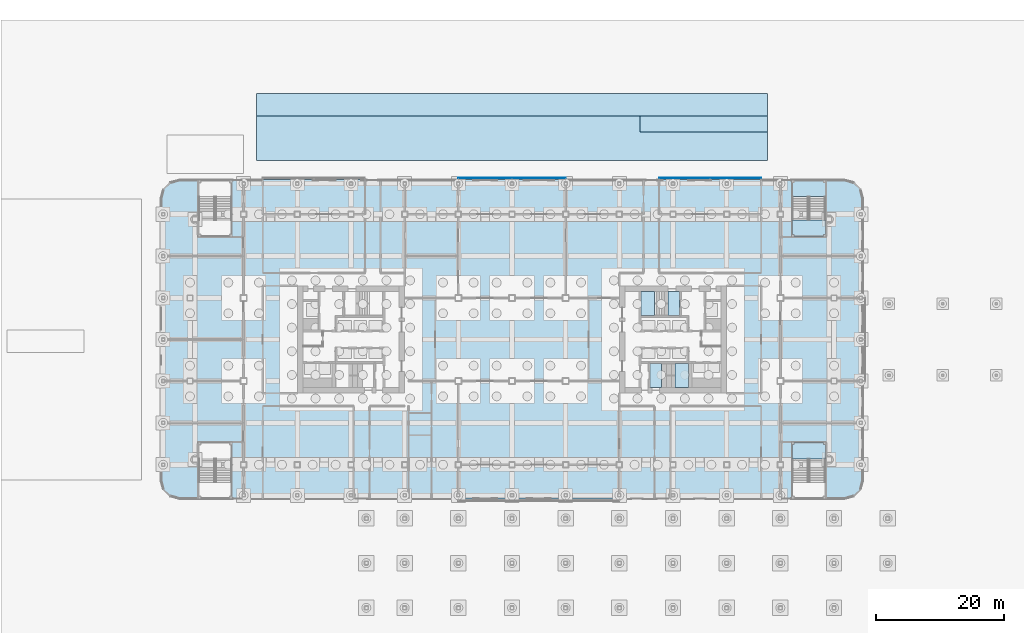
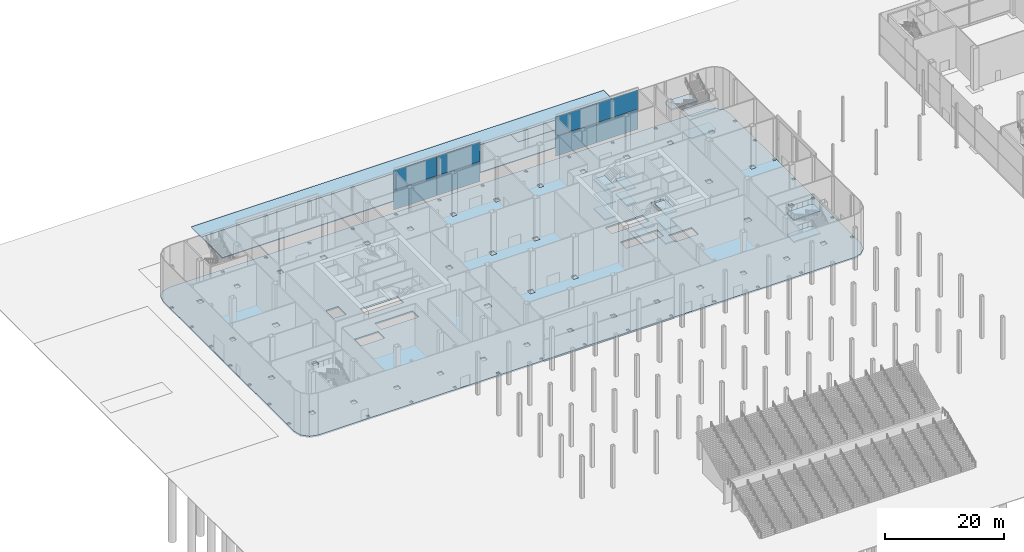
# One storey, part 31 of 113: 19 slabs, 8 plates, 6 elements without a shape of their own.
"""IFC4 building model written with IfcOpenShell, lengths in metres."""

from ifc_helpers import new_model, si_unit, direction, frame, origin, origin_2d, place, context, subcontext, project, spatial, polyline, rectangle, outline, extrude, material, layer, layer_set, type_object, element, aggregate, save


model = new_model("IFC4")

# Units and contexts
model_context = context("Model", 3, precision=1e-05, world=origin(), true_north=direction((0.0, 1.0)))
body_context = subcontext(model_context, "Body", "Model", "MODEL_VIEW")
ifc_project = project(units=[si_unit("LENGTHUNIT", "METRE"), si_unit("AREAUNIT", "SQUARE_METRE"), si_unit("VOLUMEUNIT", "CUBIC_METRE"), si_unit("PLANEANGLEUNIT", "RADIAN"), si_unit("MASSUNIT", "GRAM", prefix="KILO")], contexts=[model_context])

# Site, building, storey
site_placement = place(None, origin())
site = spatial("IfcSite", under=ifc_project, at=site_placement, CompositionType="ELEMENT")
building_placement = place(site_placement, origin())
building = spatial("IfcBuilding", under=site, at=building_placement, Name="Hakoniwa Tower and Hamabe Station Hall", CompositionType="ELEMENT")
storey_placement = place(building_placement, origin())
storey = spatial("IfcBuildingStorey", under=building, at=storey_placement, Name="L01", CompositionType="ELEMENT", Elevation=0.0)

# Stair, slabs
ifc_material_1 = material(Name="Concrete C40", Category="concrete")
stair_type_1 = type_object("IfcStairType", Name="ESCAPE STAIR 1800", PredefinedType="HALF_TURN_STAIR", material=ifc_material_1)
stair_1_placement = place(storey_placement, origin())
stair_1 = element("IfcStair", 1, at=stair_1_placement, inside=storey, type_object=stair_type_1, Name="Escape stair ST-3 L01", PredefinedType="HALF_TURN_STAIR")
ifc_material_2 = material(Name="Concrete C40", Category="concrete")
ifc_layer_1 = layer(ifc_material_2, 0.25)
ifc_layer_set_1 = layer_set([ifc_layer_1], Name="CORE STAIR LANDING 250")
slab_type_1 = type_object("IfcSlabType", Name="CORE STAIR LANDING 250", PredefinedType="LANDING", material=ifc_layer_set_1)
slab_1_placement = place(storey_placement, frame((0.0, 0.0, 1.25)))
slab_1 = element("IfcSlab", 2, at=slab_1_placement, type_object=slab_type_1, Name="ST-3 landing 1", PredefinedType="LANDING", context=body_context, shape_type="SweptSolid", body=[
    extrude(outline(polyline([(22.320068359375, 3.75), (20.14990234375, 3.75), (20.14990234375, 7.5), (22.320068359375, 7.5), (22.320068359375, 3.75)])), origin(), (0.0, 0.0, 1.0), 0.25),
])
slab_2_placement = place(storey_placement, frame((0.0, 0.0, 2.75)))
slab_2 = element("IfcSlab", 3, at=slab_2_placement, type_object=slab_type_1, Name="ST-3 landing 2", PredefinedType="LANDING", context=body_context, shape_type="SweptSolid", body=[
    extrude(outline(polyline([(26.199951171875, 3.75), (24.39990234375, 3.75), (24.39990234375, 7.5), (26.199951171875, 7.5), (26.199951171875, 3.75)])), origin(), (0.0, 0.0, 1.0), 0.25),
])
slab_3_placement = place(storey_placement, frame((0.0, 0.0, 4.25)))
slab_3 = element("IfcSlab", 4, at=slab_3_placement, type_object=slab_type_1, Name="ST-3 landing 3", PredefinedType="LANDING", context=body_context, shape_type="SweptSolid", body=[
    extrude(outline(polyline([(22.320068359375, 3.75), (20.14990234375, 3.75), (20.14990234375, 7.5), (22.320068359375, 7.5), (22.320068359375, 3.75)])), origin(), (0.0, 0.0, 1.0), 0.25),
])
slab_4_placement = place(storey_placement, frame((0.0, 0.0, 5.75)))
slab_4 = element("IfcSlab", 5, at=slab_4_placement, type_object=slab_type_1, Name="ST-3 landing 4", PredefinedType="LANDING", context=body_context, shape_type="SweptSolid", body=[
    extrude(outline(polyline([(26.199951171875, 3.75), (24.39990234375, 3.75), (24.39990234375, 7.5), (26.199951171875, 7.5), (26.199951171875, 3.75)])), origin(), (0.0, 0.0, 1.0), 0.25),
])
slab_5_placement = place(storey_placement, frame((0.0, 0.0, 7.25)))
slab_5 = element("IfcSlab", 6, at=slab_5_placement, type_object=slab_type_1, Name="ST-3 landing 5", PredefinedType="LANDING", context=body_context, shape_type="SweptSolid", body=[
    extrude(outline(polyline([(22.320068359375, 3.75), (20.14990234375, 3.75), (20.14990234375, 7.5), (22.320068359375, 7.5), (22.320068359375, 3.75)])), origin(), (0.0, 0.0, 1.0), 0.25),
])
aggregate(stair_1, [slab_1, slab_2, slab_3, slab_4, slab_5])

stair_2_placement = place(storey_placement, origin())
stair_2 = element("IfcStair", 7, at=stair_2_placement, inside=storey, type_object=stair_type_1, Name="Escape stair ST-4 L01", PredefinedType="HALF_TURN_STAIR")
slab_6_placement = place(storey_placement, frame((0.0, 0.0, 1.25)))
slab_6 = element("IfcSlab", 8, at=slab_6_placement, type_object=slab_type_1, Name="ST-4 landing 1", PredefinedType="LANDING", context=body_context, shape_type="SweptSolid", body=[
    extrude(outline(polyline([(25.47998046875, -7.5), (27.64990234375, -7.5), (27.64990234375, -3.75), (25.47998046875, -3.75), (25.47998046875, -7.5)])), origin(), (0.0, 0.0, 1.0), 0.25),
])
slab_7_placement = place(storey_placement, frame((0.0, 0.0, 2.75)))
slab_7 = element("IfcSlab", 9, at=slab_7_placement, type_object=slab_type_1, Name="ST-4 landing 2", PredefinedType="LANDING", context=body_context, shape_type="SweptSolid", body=[
    extrude(outline(polyline([(21.60009765625, -7.5), (23.39990234375, -7.5), (23.39990234375, -3.75), (21.60009765625, -3.75), (21.60009765625, -7.5)])), origin(), (0.0, 0.0, 1.0), 0.25),
])
slab_8_placement = place(storey_placement, frame((0.0, 0.0, 4.25)))
slab_8 = element("IfcSlab", 10, at=slab_8_placement, type_object=slab_type_1, Name="ST-4 landing 3", PredefinedType="LANDING", context=body_context, shape_type="SweptSolid", body=[
    extrude(outline(polyline([(25.47998046875, -7.5), (27.64990234375, -7.5), (27.64990234375, -3.75), (25.47998046875, -3.75), (25.47998046875, -7.5)])), origin(), (0.0, 0.0, 1.0), 0.25),
])
slab_9_placement = place(storey_placement, frame((0.0, 0.0, 5.75)))
slab_9 = element("IfcSlab", 11, at=slab_9_placement, type_object=slab_type_1, Name="ST-4 landing 4", PredefinedType="LANDING", context=body_context, shape_type="SweptSolid", body=[
    extrude(outline(polyline([(21.60009765625, -7.5), (23.39990234375, -7.5), (23.39990234375, -3.75), (21.60009765625, -3.75), (21.60009765625, -7.5)])), origin(), (0.0, 0.0, 1.0), 0.25),
])
slab_10_placement = place(storey_placement, frame((0.0, 0.0, 7.25)))
slab_10 = element("IfcSlab", 12, at=slab_10_placement, type_object=slab_type_1, Name="ST-4 landing 5", PredefinedType="LANDING", context=body_context, shape_type="SweptSolid", body=[
    extrude(outline(polyline([(25.47998046875, -7.5), (27.64990234375, -7.5), (27.64990234375, -3.75), (25.47998046875, -3.75), (25.47998046875, -7.5)])), origin(), (0.0, 0.0, 1.0), 0.25),
])
aggregate(stair_2, [slab_6, slab_7, slab_8, slab_9, slab_10])

# Curtain wall, plates
ifc_material_3 = material(Name="Dark low-e laminated glass", Category="glass")
ifc_layer_2 = layer(ifc_material_3, 0.199951171875)
ifc_layer_set_2 = layer_set([ifc_layer_2], Name="CW-3 PODIUM LOBBY")
curtain_wall_type = type_object("IfcCurtainWallType", Name="CW-3 PODIUM LOBBY", PredefinedType="NOTDEFINED", material=ifc_layer_set_2)
curtain_wall_1_placement = place(storey_placement, origin())
curtain_wall_1 = element("IfcCurtainWall", 13, at=curtain_wall_1_placement, inside=storey, type_object=curtain_wall_type, Name="Podium curtain wall L01 north 2", PredefinedType="NOTDEFINED")
ifc_material_4 = material(Name="Dark low-e laminated glass", Category="glass")
ifc_layer_3 = layer(ifc_material_4, 0.0380859375)
ifc_layer_set_3 = layer_set([ifc_layer_3], Name="CW-3 LOBBY GLASS UNIT")
plate_type = type_object("IfcPlateType", Name="CW-3 LOBBY GLASS UNIT", PredefinedType="CURTAIN_PANEL", material=ifc_layer_set_3)
plate_1_placement = place(storey_placement, frame((4.199951171875, 25.285888671875, 0.35009765625), z_axis=(0.0, 0.0, 1.0), x_axis=(-1.0, 0.0, 0.0)))
plate_1 = element("IfcPlate", 14, at=plate_1_placement, type_object=plate_type, Name="CW-3 glass unit", PredefinedType="CURTAIN_PANEL", context=body_context, shape_type="SweptSolid", body=[
    extrude(rectangle(XDim=8.3798828125, YDim=0.0380859375, at=origin_2d()), origin(), (0.0, 0.0, 1.0), 3.989990234375),
])
plate_2_placement = place(storey_placement, frame((4.199951171875, 25.285888671875, 4.4599609375), z_axis=(0.0, 0.0, 1.0), x_axis=(-1.0, 0.0, 0.0)))
plate_2 = element("IfcPlate", 15, at=plate_2_placement, type_object=plate_type, Name="CW-3 glass unit", PredefinedType="CURTAIN_PANEL", context=body_context, shape_type="SweptSolid", body=[
    extrude(rectangle(XDim=8.3798828125, YDim=0.0380859375, at=origin_2d()), origin(), (0.0, 0.0, 1.0), 3.989990234375),
])
plate_3_placement = place(storey_placement, frame((-4.199951171875, 25.285888671875, 0.35009765625), z_axis=(0.0, 0.0, 1.0), x_axis=(-1.0, 0.0, 0.0)))
plate_3 = element("IfcPlate", 16, at=plate_3_placement, type_object=plate_type, Name="CW-3 glass unit", PredefinedType="CURTAIN_PANEL", context=body_context, shape_type="SweptSolid", body=[
    extrude(rectangle(XDim=8.3798828125, YDim=0.0380859375, at=origin_2d()), origin(), (0.0, 0.0, 1.0), 3.989990234375),
])
plate_4_placement = place(storey_placement, frame((-4.199951171875, 25.285888671875, 4.4599609375), z_axis=(0.0, 0.0, 1.0), x_axis=(-1.0, 0.0, 0.0)))
plate_4 = element("IfcPlate", 17, at=plate_4_placement, type_object=plate_type, Name="CW-3 glass unit", PredefinedType="CURTAIN_PANEL", context=body_context, shape_type="SweptSolid", body=[
    extrude(rectangle(XDim=8.3798828125, YDim=0.0380859375, at=origin_2d()), origin(), (0.0, 0.0, 1.0), 3.989990234375),
])
aggregate(curtain_wall_1, [plate_1, plate_2, plate_3, plate_4])

curtain_wall_2_placement = place(storey_placement, origin())
curtain_wall_2 = element("IfcCurtainWall", 18, at=curtain_wall_2_placement, inside=storey, type_object=curtain_wall_type, Name="Podium curtain wall L01 north 3", PredefinedType="NOTDEFINED")
plate_5_placement = place(storey_placement, frame((35.0, 25.285888671875, 0.35009765625), z_axis=(0.0, 0.0, 1.0), x_axis=(-1.0, 0.0, 0.0)))
plate_5 = element("IfcPlate", 19, at=plate_5_placement, type_object=plate_type, Name="CW-3 glass unit", PredefinedType="CURTAIN_PANEL", context=body_context, shape_type="SweptSolid", body=[
    extrude(rectangle(XDim=7.97998046875, YDim=0.0380859375, at=origin_2d()), origin(), (0.0, 0.0, 1.0), 3.989990234375),
])
plate_6_placement = place(storey_placement, frame((35.0, 25.285888671875, 4.4599609375), z_axis=(0.0, 0.0, 1.0), x_axis=(-1.0, 0.0, 0.0)))
plate_6 = element("IfcPlate", 20, at=plate_6_placement, type_object=plate_type, Name="CW-3 glass unit", PredefinedType="CURTAIN_PANEL", context=body_context, shape_type="SweptSolid", body=[
    extrude(rectangle(XDim=7.97998046875, YDim=0.0380859375, at=origin_2d()), origin(), (0.0, 0.0, 1.0), 3.989990234375),
])
plate_7_placement = place(storey_placement, frame((27.0, 25.285888671875, 0.35009765625), z_axis=(0.0, 0.0, 1.0), x_axis=(-1.0, 0.0, 0.0)))
plate_7 = element("IfcPlate", 21, at=plate_7_placement, type_object=plate_type, Name="CW-3 glass unit", PredefinedType="CURTAIN_PANEL", context=body_context, shape_type="SweptSolid", body=[
    extrude(rectangle(XDim=7.97998046875, YDim=0.0380859375, at=origin_2d()), origin(), (0.0, 0.0, 1.0), 3.989990234375),
])
plate_8_placement = place(storey_placement, frame((27.0, 25.285888671875, 4.4599609375), z_axis=(0.0, 0.0, 1.0), x_axis=(-1.0, 0.0, 0.0)))
plate_8 = element("IfcPlate", 22, at=plate_8_placement, type_object=plate_type, Name="CW-3 glass unit", PredefinedType="CURTAIN_PANEL", context=body_context, shape_type="SweptSolid", body=[
    extrude(rectangle(XDim=7.97998046875, YDim=0.0380859375, at=origin_2d()), origin(), (0.0, 0.0, 1.0), 3.989990234375),
])
aggregate(curtain_wall_2, [plate_5, plate_6, plate_7, plate_8])

# Slabs
ifc_material_5 = material(Name="Concrete C30", Category="concrete")
ifc_layer_4 = layer(ifc_material_5, 0.300048828125)
ifc_layer_set_4 = layer_set([ifc_layer_4], Name="GROUND SLAB 300")
slab_type_2 = type_object("IfcSlabType", Name="GROUND SLAB 300", PredefinedType="BASESLAB", material=ifc_layer_set_4)
slab_11_placement = place(storey_placement, frame((0.0, 0.0, -0.300048828125)))
element("IfcSlab", 23, at=slab_11_placement, inside=storey, type_object=slab_type_2, Name="Ground floor slab on grade", PredefinedType="BASESLAB", context=body_context, shape_type="SweptSolid", body=[
    extrude(outline(polyline([(55.0, -22.0), (55.0, 22.0), (54.59814453125, 23.5), (53.5, 24.59814453125), (52.0, 25.0), (-52.0, 25.0), (-53.5, 24.59814453125), (-54.59814453125, 23.5), (-55.0, 22.0), (-55.0, -22.0), (-54.59814453125, -23.5), (-53.5, -24.59814453125), (-52.0, -25.0), (52.0, -25.0), (53.5, -24.59814453125), (54.59814453125, -23.5), (55.0, -22.0)]), holes=[polyline([(-50.052978515625, -19.253173828125), (-50.052978515625, -18.35302734375), (-49.153076171875, -18.35302734375), (-49.153076171875, -19.253173828125), (-50.052978515625, -19.253173828125)]), polyline([(-50.85009765625, -6.949951171875), (-50.85009765625, -6.050048828125), (-49.949951171875, -6.050048828125), (-49.949951171875, -6.949951171875), (-50.85009765625, -6.949951171875)]), polyline([(-50.85009765625, 6.050048828125), (-50.85009765625, 6.949951171875), (-49.949951171875, 6.949951171875), (-49.949951171875, 6.050048828125), (-50.85009765625, 6.050048828125)]), polyline([(-50.052978515625, 18.35302734375), (-50.052978515625, 19.253173828125), (-49.153076171875, 19.253173828125), (-49.153076171875, 18.35302734375), (-50.052978515625, 18.35302734375)]), polyline([(-42.449951171875, -20.050048828125), (-42.449951171875, -19.14990234375), (-41.550048828125, -19.14990234375), (-41.550048828125, -20.050048828125), (-42.449951171875, -20.050048828125)]), polyline([(-42.5, -7.0), (-42.5, -6.0), (-41.5, -6.0), (-41.5, -7.0), (-42.5, -7.0)]), polyline([(-42.5, 6.0), (-42.5, 7.0), (-41.5, 7.0), (-41.5, 6.0), (-42.5, 6.0)]), polyline([(-42.449951171875, 19.14990234375), (-42.449951171875, 20.050048828125), (-41.550048828125, 20.050048828125), (-41.550048828125, 19.14990234375), (-42.449951171875, 19.14990234375)]), polyline([(-34.050048828125, -20.050048828125), (-34.050048828125, -19.14990234375), (-33.14990234375, -19.14990234375), (-33.14990234375, -20.050048828125), (-34.050048828125, -20.050048828125)]), polyline([(-34.050048828125, 19.14990234375), (-34.050048828125, 20.050048828125), (-33.14990234375, 20.050048828125), (-33.14990234375, 19.14990234375), (-34.050048828125, 19.14990234375)]), polyline([(-25.64990234375, -20.050048828125), (-25.64990234375, -19.14990234375), (-24.75, -19.14990234375), (-24.75, -20.050048828125), (-25.64990234375, -20.050048828125)]), polyline([(-25.64990234375, 19.14990234375), (-25.64990234375, 20.050048828125), (-24.75, 20.050048828125), (-24.75, 19.14990234375), (-25.64990234375, 19.14990234375)]), polyline([(-17.25, -20.050048828125), (-17.25, -19.14990234375), (-16.35009765625, -19.14990234375), (-16.35009765625, -20.050048828125), (-17.25, -20.050048828125)]), polyline([(-17.25, 19.14990234375), (-17.25, 20.050048828125), (-16.35009765625, 20.050048828125), (-16.35009765625, 19.14990234375), (-17.25, 19.14990234375)]), polyline([(-8.85009765625, -20.050048828125), (-8.85009765625, -19.14990234375), (-7.949951171875, -19.14990234375), (-7.949951171875, -20.050048828125), (-8.85009765625, -20.050048828125)]), polyline([(-8.89990234375, -7.0), (-8.89990234375, -6.0), (-7.89990234375, -6.0), (-7.89990234375, -7.0), (-8.89990234375, -7.0)]), polyline([(-8.89990234375, 6.0), (-8.89990234375, 7.0), (-7.89990234375, 7.0), (-7.89990234375, 6.0), (-8.89990234375, 6.0)]), polyline([(-8.85009765625, 19.14990234375), (-8.85009765625, 20.050048828125), (-7.949951171875, 20.050048828125), (-7.949951171875, 19.14990234375), (-8.85009765625, 19.14990234375)]), polyline([(-0.449951171875, -20.050048828125), (-0.449951171875, -19.14990234375), (0.449951171875, -19.14990234375), (0.449951171875, -20.050048828125), (-0.449951171875, -20.050048828125)]), polyline([(-0.5, -7.0), (-0.5, -6.0), (0.5, -6.0), (0.5, -7.0), (-0.5, -7.0)]), polyline([(-0.5, 6.0), (-0.5, 7.0), (0.5, 7.0), (0.5, 6.0), (-0.5, 6.0)]), polyline([(-0.449951171875, 19.14990234375), (-0.449951171875, 20.050048828125), (0.449951171875, 20.050048828125), (0.449951171875, 19.14990234375), (-0.449951171875, 19.14990234375)]), polyline([(7.949951171875, -20.050048828125), (7.949951171875, -19.14990234375), (8.85009765625, -19.14990234375), (8.85009765625, -20.050048828125), (7.949951171875, -20.050048828125)]), polyline([(7.89990234375, -7.0), (7.89990234375, -6.0), (8.89990234375, -6.0), (8.89990234375, -7.0), (7.89990234375, -7.0)]), polyline([(7.89990234375, 6.0), (7.89990234375, 7.0), (8.89990234375, 7.0), (8.89990234375, 6.0), (7.89990234375, 6.0)]), polyline([(7.949951171875, 19.14990234375), (7.949951171875, 20.050048828125), (8.85009765625, 20.050048828125), (8.85009765625, 19.14990234375), (7.949951171875, 19.14990234375)]), polyline([(16.35009765625, -20.050048828125), (16.35009765625, -19.14990234375), (17.25, -19.14990234375), (17.25, -20.050048828125), (16.35009765625, -20.050048828125)]), polyline([(16.35009765625, 19.14990234375), (16.35009765625, 20.050048828125), (17.25, 20.050048828125), (17.25, 19.14990234375), (16.35009765625, 19.14990234375)]), polyline([(24.75, -20.050048828125), (24.75, -19.14990234375), (25.64990234375, -19.14990234375), (25.64990234375, -20.050048828125), (24.75, -20.050048828125)]), polyline([(24.75, 19.14990234375), (24.75, 20.050048828125), (25.64990234375, 20.050048828125), (25.64990234375, 19.14990234375), (24.75, 19.14990234375)]), polyline([(33.14990234375, -20.050048828125), (33.14990234375, -19.14990234375), (34.050048828125, -19.14990234375), (34.050048828125, -20.050048828125), (33.14990234375, -20.050048828125)]), polyline([(33.14990234375, 19.14990234375), (33.14990234375, 20.050048828125), (34.050048828125, 20.050048828125), (34.050048828125, 19.14990234375), (33.14990234375, 19.14990234375)]), polyline([(41.550048828125, -20.050048828125), (41.550048828125, -19.14990234375), (42.449951171875, -19.14990234375), (42.449951171875, -20.050048828125), (41.550048828125, -20.050048828125)]), polyline([(41.5, -7.0), (41.5, -6.0), (42.5, -6.0), (42.5, -7.0), (41.5, -7.0)]), polyline([(41.5, 6.0), (41.5, 7.0), (42.5, 7.0), (42.5, 6.0), (41.5, 6.0)]), polyline([(41.550048828125, 19.14990234375), (41.550048828125, 20.050048828125), (42.449951171875, 20.050048828125), (42.449951171875, 19.14990234375), (41.550048828125, 19.14990234375)]), polyline([(49.153076171875, -19.253173828125), (49.153076171875, -18.35302734375), (50.052978515625, -18.35302734375), (50.052978515625, -19.253173828125), (49.153076171875, -19.253173828125)]), polyline([(49.949951171875, -6.949951171875), (49.949951171875, -6.050048828125), (50.85009765625, -6.050048828125), (50.85009765625, -6.949951171875), (49.949951171875, -6.949951171875)]), polyline([(49.949951171875, 6.050048828125), (49.949951171875, 6.949951171875), (50.85009765625, 6.949951171875), (50.85009765625, 6.050048828125), (49.949951171875, 6.050048828125)]), polyline([(49.153076171875, 18.35302734375), (49.153076171875, 19.253173828125), (50.052978515625, 19.253173828125), (50.052978515625, 18.35302734375), (49.153076171875, 18.35302734375)]), polyline([(-42.25, -24.64990234375), (-42.25, -24.14990234375), (-41.75, -24.14990234375), (-41.75, -24.64990234375), (-42.25, -24.64990234375)]), polyline([(-42.25, 24.14990234375), (-42.25, 24.64990234375), (-41.75, 24.64990234375), (-41.75, 24.14990234375), (-42.25, 24.14990234375)]), polyline([(-33.85009765625, -24.64990234375), (-33.85009765625, -24.14990234375), (-33.35009765625, -24.14990234375), (-33.35009765625, -24.64990234375), (-33.85009765625, -24.64990234375)]), polyline([(-33.85009765625, 24.14990234375), (-33.85009765625, 24.64990234375), (-33.35009765625, 24.64990234375), (-33.35009765625, 24.14990234375), (-33.85009765625, 24.14990234375)]), polyline([(-25.449951171875, -24.64990234375), (-25.449951171875, -24.14990234375), (-24.949951171875, -24.14990234375), (-24.949951171875, -24.64990234375), (-25.449951171875, -24.64990234375)]), polyline([(-25.449951171875, 24.14990234375), (-25.449951171875, 24.64990234375), (-24.949951171875, 24.64990234375), (-24.949951171875, 24.14990234375), (-25.449951171875, 24.14990234375)]), polyline([(-17.050048828125, -24.64990234375), (-17.050048828125, -24.14990234375), (-16.550048828125, -24.14990234375), (-16.550048828125, -24.64990234375), (-17.050048828125, -24.64990234375)]), polyline([(-17.050048828125, 24.14990234375), (-17.050048828125, 24.64990234375), (-16.550048828125, 24.64990234375), (-16.550048828125, 24.14990234375), (-17.050048828125, 24.14990234375)]), polyline([(-8.64990234375, -24.64990234375), (-8.64990234375, -24.14990234375), (-8.14990234375, -24.14990234375), (-8.14990234375, -24.64990234375), (-8.64990234375, -24.64990234375)]), polyline([(-8.64990234375, 24.14990234375), (-8.64990234375, 24.64990234375), (-8.14990234375, 24.64990234375), (-8.14990234375, 24.14990234375), (-8.64990234375, 24.14990234375)]), polyline([(-0.25, -24.64990234375), (-0.25, -24.14990234375), (0.25, -24.14990234375), (0.25, -24.64990234375), (-0.25, -24.64990234375)]), polyline([(-0.25, 24.14990234375), (-0.25, 24.64990234375), (0.25, 24.64990234375), (0.25, 24.14990234375), (-0.25, 24.14990234375)]), polyline([(8.14990234375, -24.64990234375), (8.14990234375, -24.14990234375), (8.64990234375, -24.14990234375), (8.64990234375, -24.64990234375), (8.14990234375, -24.64990234375)]), polyline([(8.14990234375, 24.14990234375), (8.14990234375, 24.64990234375), (8.64990234375, 24.64990234375), (8.64990234375, 24.14990234375), (8.14990234375, 24.14990234375)]), polyline([(16.550048828125, -24.64990234375), (16.550048828125, -24.14990234375), (17.050048828125, -24.14990234375), (17.050048828125, -24.64990234375), (16.550048828125, -24.64990234375)]), polyline([(16.550048828125, 24.14990234375), (16.550048828125, 24.64990234375), (17.050048828125, 24.64990234375), (17.050048828125, 24.14990234375), (16.550048828125, 24.14990234375)]), polyline([(24.949951171875, -24.64990234375), (24.949951171875, -24.14990234375), (25.449951171875, -24.14990234375), (25.449951171875, -24.64990234375), (24.949951171875, -24.64990234375)]), polyline([(24.949951171875, 24.14990234375), (24.949951171875, 24.64990234375), (25.449951171875, 24.64990234375), (25.449951171875, 24.14990234375), (24.949951171875, 24.14990234375)]), polyline([(33.35009765625, -24.64990234375), (33.35009765625, -24.14990234375), (33.85009765625, -24.14990234375), (33.85009765625, -24.64990234375), (33.35009765625, -24.64990234375)]), polyline([(33.35009765625, 24.14990234375), (33.35009765625, 24.64990234375), (33.85009765625, 24.64990234375), (33.85009765625, 24.14990234375), (33.35009765625, 24.14990234375)]), polyline([(41.75, -24.64990234375), (41.75, -24.14990234375), (42.25, -24.14990234375), (42.25, -24.64990234375), (41.75, -24.64990234375)]), polyline([(41.75, 24.14990234375), (41.75, 24.64990234375), (42.25, 24.64990234375), (42.25, 24.14990234375), (41.75, 24.14990234375)]), polyline([(-54.85009765625, -19.85009765625), (-54.85009765625, -19.35009765625), (-54.35009765625, -19.35009765625), (-54.35009765625, -19.85009765625), (-54.85009765625, -19.85009765625)]), polyline([(54.35009765625, -19.85009765625), (54.35009765625, -19.35009765625), (54.85009765625, -19.35009765625), (54.85009765625, -19.85009765625), (54.35009765625, -19.85009765625)]), polyline([(-54.85009765625, -13.300048828125), (-54.85009765625, -12.800048828125), (-54.35009765625, -12.800048828125), (-54.35009765625, -13.300048828125), (-54.85009765625, -13.300048828125)]), polyline([(54.35009765625, -13.300048828125), (54.35009765625, -12.800048828125), (54.85009765625, -12.800048828125), (54.85009765625, -13.300048828125), (54.35009765625, -13.300048828125)]), polyline([(-54.85009765625, -6.75), (-54.85009765625, -6.25), (-54.35009765625, -6.25), (-54.35009765625, -6.75), (-54.85009765625, -6.75)]), polyline([(54.35009765625, -6.75), (54.35009765625, -6.25), (54.85009765625, -6.25), (54.85009765625, -6.75), (54.35009765625, -6.75)]), polyline([(-54.85009765625, -0.25), (-54.85009765625, 0.25), (-54.35009765625, 0.25), (-54.35009765625, -0.25), (-54.85009765625, -0.25)]), polyline([(54.35009765625, -0.25), (54.35009765625, 0.25), (54.85009765625, 0.25), (54.85009765625, -0.25), (54.35009765625, -0.25)]), polyline([(-54.85009765625, 6.25), (-54.85009765625, 6.75), (-54.35009765625, 6.75), (-54.35009765625, 6.25), (-54.85009765625, 6.25)]), polyline([(54.35009765625, 6.25), (54.35009765625, 6.75), (54.85009765625, 6.75), (54.85009765625, 6.25), (54.35009765625, 6.25)]), polyline([(-54.85009765625, 12.800048828125), (-54.85009765625, 13.300048828125), (-54.35009765625, 13.300048828125), (-54.35009765625, 12.800048828125), (-54.85009765625, 12.800048828125)]), polyline([(54.35009765625, 12.800048828125), (54.35009765625, 13.300048828125), (54.85009765625, 13.300048828125), (54.85009765625, 12.800048828125), (54.35009765625, 12.800048828125)]), polyline([(-54.85009765625, 19.35009765625), (-54.85009765625, 19.85009765625), (-54.35009765625, 19.85009765625), (-54.35009765625, 19.35009765625), (-54.85009765625, 19.35009765625)]), polyline([(54.35009765625, 19.35009765625), (54.35009765625, 19.85009765625), (54.85009765625, 19.85009765625), (54.85009765625, 19.35009765625), (54.35009765625, 19.35009765625)]), polyline([(-27.39990234375, 1.449951171875), (-27.39990234375, 3.5), (-20.14990234375, 3.5), (-20.14990234375, 1.449951171875), (-27.39990234375, 1.449951171875)]), polyline([(-27.39990234375, -3.5), (-27.39990234375, -1.449951171875), (-20.14990234375, -1.449951171875), (-20.14990234375, -3.5), (-27.39990234375, -3.5)]), polyline([(-32.699951171875, 3.300048828125), (-32.699951171875, 5.949951171875), (-30.300048828125, 5.949951171875), (-30.300048828125, 3.300048828125), (-32.699951171875, 3.300048828125)]), polyline([(-32.699951171875, -6.0), (-32.699951171875, -3.75), (-28.14990234375, -3.75), (-28.14990234375, -6.0), (-32.699951171875, -6.0)]), polyline([(20.14990234375, 1.449951171875), (20.14990234375, 3.5), (27.39990234375, 3.5), (27.39990234375, 1.449951171875), (20.14990234375, 1.449951171875)]), polyline([(20.14990234375, -3.5), (20.14990234375, -1.449951171875), (27.39990234375, -1.449951171875), (27.39990234375, -3.5), (20.14990234375, -3.5)]), polyline([(30.300048828125, 3.300048828125), (30.300048828125, 5.949951171875), (32.699951171875, 5.949951171875), (32.699951171875, 3.300048828125), (30.300048828125, 3.300048828125)]), polyline([(28.14990234375, -6.0), (28.14990234375, -3.75), (32.699951171875, -3.75), (32.699951171875, -6.0), (28.14990234375, -6.0)])]), origin(), (0.0, 0.0, 1.0), 0.300048828125),
])
ifc_material_6 = material(Name="Concrete block paving on compacted base", Category="concrete")
ifc_layer_5 = layer(ifc_material_6, 0.14990234375)
ifc_layer_set_5 = layer_set([ifc_layer_5], Name="SITE FORECOURT PAVING 150")
slab_type_3 = type_object("IfcSlabType", Name="SITE FORECOURT PAVING 150", PredefinedType="USERDEFINED", material=ifc_layer_set_5)
slab_12_placement = place(storey_placement, frame((0.0, 0.0, -0.14990234375)))
element("IfcSlab", 24, at=slab_12_placement, inside=storey, type_object=slab_type_3, Name="Drop Off Forecourt", ObjectType="PAVING", PredefinedType="USERDEFINED", context=body_context, shape_type="SweptSolid", body=[
    extrude(outline(polyline([(-40.0, 28.0), (40.0, 28.0), (40.0, 32.5), (20.0, 32.5), (20.0, 35.0), (-40.0, 35.0), (-40.0, 28.0)])), origin(), (0.0, 0.0, 1.0), 0.14990234375),
])
ifc_material_7 = material(Name="Asphalt on crushed stone base", Category="masonry")
ifc_layer_6 = layer(ifc_material_7, 0.199951171875)
ifc_layer_set_6 = layer_set([ifc_layer_6], Name="SITE ROAD PAVING 200")
slab_type_4 = type_object("IfcSlabType", Name="SITE ROAD PAVING 200", PredefinedType="USERDEFINED", material=ifc_layer_set_6)
slab_13_placement = place(storey_placement, frame((0.0, 0.0, -0.219970703125)))
element("IfcSlab", 25, at=slab_13_placement, inside=storey, type_object=slab_type_4, Name="Drop Off Lane", ObjectType="PAVING", PredefinedType="USERDEFINED", context=body_context, shape_type="SweptSolid", body=[
    extrude(outline(polyline([(-40.0, 38.5), (-40.0, 35.0), (40.0, 35.0), (40.0, 38.5), (-40.0, 38.5)])), origin(), (0.0, 0.0, 1.0), 0.199951171875),
])
slab_14_placement = place(storey_placement, frame((0.0, 0.0, -0.219970703125)))
element("IfcSlab", 26, at=slab_14_placement, inside=storey, type_object=slab_type_4, Name="Taxi Rank", ObjectType="PAVING", PredefinedType="USERDEFINED", context=body_context, shape_type="SweptSolid", body=[
    extrude(outline(polyline([(20.0, 32.5), (40.0, 32.5), (40.0, 35.0), (20.0, 35.0), (20.0, 32.5)])), origin(), (0.0, 0.0, 1.0), 0.199951171875),
])

# Stair, slabs
ifc_material_8 = material(Name="Concrete C40", Category="concrete")
stair_type_2 = type_object("IfcStairType", Name="STAIR 2500 15X150", PredefinedType="HALF_TURN_STAIR", material=ifc_material_8)
stair_3_placement = place(storey_placement, origin())
stair_3 = element("IfcStair", 27, at=stair_3_placement, inside=storey, type_object=stair_type_2, Name="Escape stair PS2", PredefinedType="HALF_TURN_STAIR")
ifc_material_9 = material(Name="Concrete C40", Category="concrete")
ifc_layer_7 = layer(ifc_material_9, 0.25)
ifc_layer_set_7 = layer_set([ifc_layer_7], Name="STAIR LANDING 250")
slab_type_5 = type_object("IfcSlabType", Name="STAIR LANDING 250", PredefinedType="LANDING", material=ifc_layer_set_7)
slab_15_placement = place(storey_placement, frame((0.0, 0.0, 2.0)))
slab_15 = element("IfcSlab", 28, at=slab_15_placement, type_object=slab_type_5, Name="PS2 landing 1", PredefinedType="LANDING", context=body_context, shape_type="SweptSolid", body=[
    extrude(outline(polyline([(43.85009765625, 18.7099609375), (43.85009765625, 16.449951171875), (44.14990234375, 16.449951171875), (44.14990234375, 16.14990234375), (48.75, 16.14990234375), (48.75, 16.449951171875), (49.050048828125, 16.449951171875), (49.050048828125, 18.7099609375), (43.85009765625, 18.7099609375)])), origin(), (0.0, 0.0, 1.0), 0.25),
])
slab_16_placement = place(storey_placement, frame((0.0, 0.0, 4.25)))
slab_16 = element("IfcSlab", 29, at=slab_16_placement, type_object=slab_type_5, Name="PS2 landing 2", PredefinedType="LANDING", context=body_context, shape_type="SweptSolid", body=[
    extrude(outline(polyline([(43.85009765625, 24.550048828125), (43.85009765625, 22.35009765625), (49.050048828125, 22.35009765625), (49.050048828125, 24.550048828125), (48.75, 24.550048828125), (48.75, 24.85009765625), (44.14990234375, 24.85009765625), (44.14990234375, 24.550048828125), (43.85009765625, 24.550048828125)])), origin(), (0.0, 0.0, 1.0), 0.25),
])
slab_17_placement = place(storey_placement, frame((0.0, 0.0, 6.5)))
slab_17 = element("IfcSlab", 30, at=slab_17_placement, type_object=slab_type_5, Name="PS2 landing 3", PredefinedType="LANDING", context=body_context, shape_type="SweptSolid", body=[
    extrude(outline(polyline([(43.85009765625, 18.7099609375), (43.85009765625, 16.449951171875), (44.14990234375, 16.449951171875), (44.14990234375, 16.14990234375), (48.75, 16.14990234375), (48.75, 16.449951171875), (49.050048828125, 16.449951171875), (49.050048828125, 18.7099609375), (43.85009765625, 18.7099609375)])), origin(), (0.0, 0.0, 1.0), 0.25),
])
aggregate(stair_3, [slab_15, slab_16, slab_17])

stair_4_placement = place(storey_placement, origin())
stair_4 = element("IfcStair", 31, at=stair_4_placement, inside=storey, type_object=stair_type_2, Name="Escape stair PS3", PredefinedType="HALF_TURN_STAIR")
slab_18_placement = place(storey_placement, frame((0.0, 0.0, 2.0)))
slab_18 = element("IfcSlab", 32, at=slab_18_placement, type_object=slab_type_5, Name="PS3 landing 1", PredefinedType="LANDING", context=body_context, shape_type="SweptSolid", body=[
    extrude(outline(polyline([(49.050048828125, -18.7099609375), (49.050048828125, -16.449951171875), (48.75, -16.449951171875), (48.75, -16.14990234375), (44.14990234375, -16.14990234375), (44.14990234375, -16.449951171875), (43.85009765625, -16.449951171875), (43.85009765625, -18.7099609375), (49.050048828125, -18.7099609375)])), origin(), (0.0, 0.0, 1.0), 0.25),
])
slab_19_placement = place(storey_placement, frame((0.0, 0.0, 6.5)))
slab_19 = element("IfcSlab", 33, at=slab_19_placement, type_object=slab_type_5, Name="PS3 landing 3", PredefinedType="LANDING", context=body_context, shape_type="SweptSolid", body=[
    extrude(outline(polyline([(49.050048828125, -18.7099609375), (49.050048828125, -16.449951171875), (48.75, -16.449951171875), (48.75, -16.14990234375), (44.14990234375, -16.14990234375), (44.14990234375, -16.449951171875), (43.85009765625, -16.449951171875), (43.85009765625, -18.7099609375), (49.050048828125, -18.7099609375)])), origin(), (0.0, 0.0, 1.0), 0.25),
])
aggregate(stair_4, [slab_18, slab_19])

save(model, "model.ifc")
